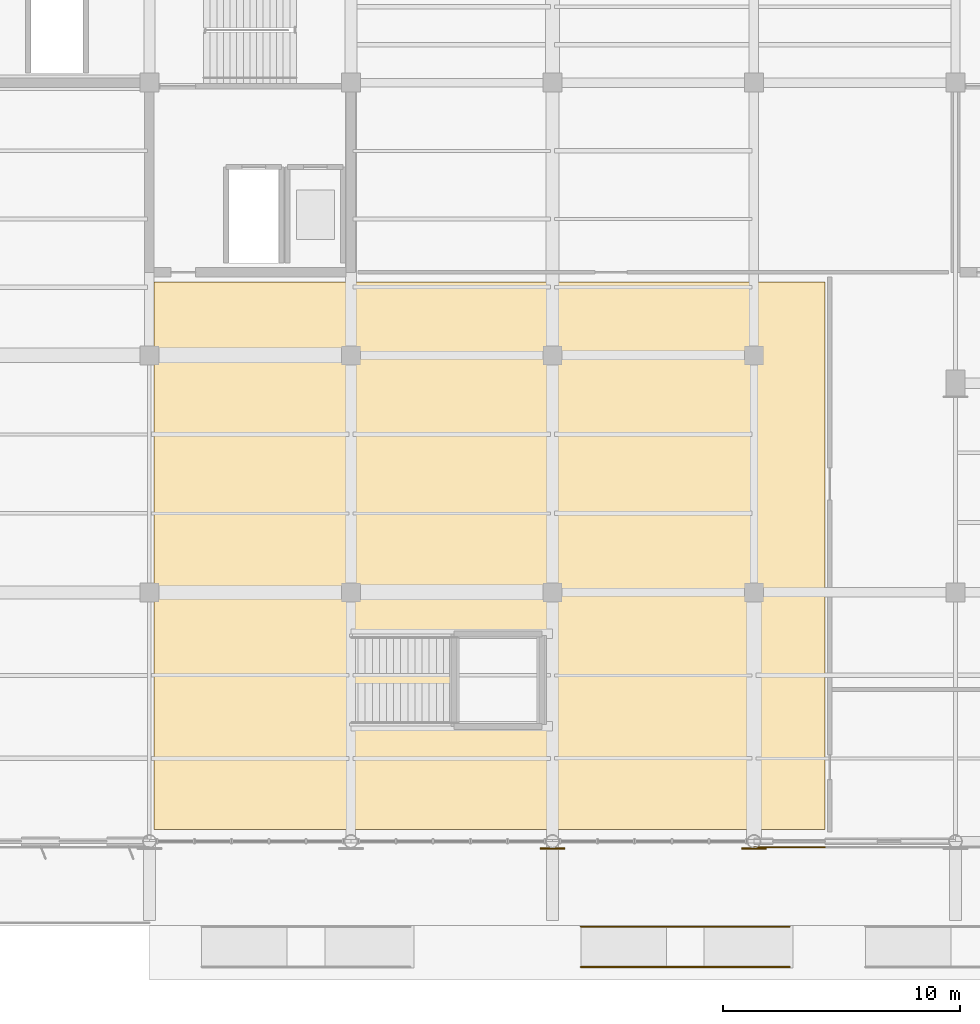
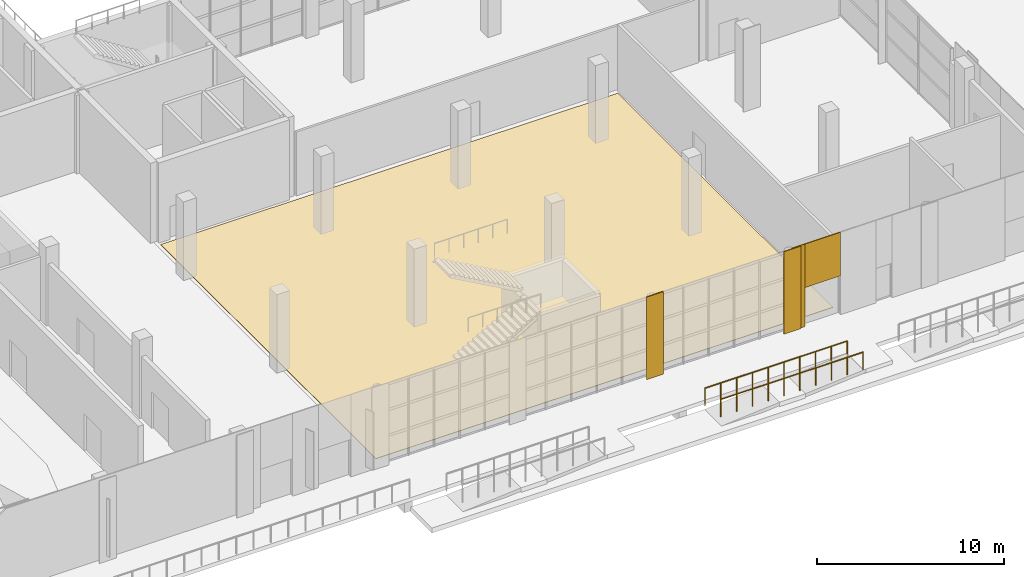
# One storey, part 77 of 90: 5 coverings, 2 railings.
"""IFC4 building model written with IfcOpenShell, lengths in metres."""

from ifc_helpers import new_model, si_unit, direction, frame, origin, origin_2d, place, context, subcontext, project, spatial, polyline, rectangle, circle, outline, extrude, material, layer, layer_set, type_object, element, save


model = new_model("IFC4")

# Units and contexts
model_context = context("Model", 3, precision=1e-05, world=origin(), true_north=direction((0.0, 1.0)))
body_context = subcontext(model_context, "Body", "Model", "MODEL_VIEW")
ifc_project = project(units=[si_unit("LENGTHUNIT", "METRE"), si_unit("AREAUNIT", "SQUARE_METRE"), si_unit("VOLUMEUNIT", "CUBIC_METRE"), si_unit("PLANEANGLEUNIT", "RADIAN"), si_unit("MASSUNIT", "GRAM", prefix="KILO")], contexts=[model_context])

# Site, building, storey
site_placement = place(None, origin())
site = spatial("IfcSite", under=ifc_project, at=site_placement, CompositionType="ELEMENT")
building_placement = place(site_placement, origin())
building = spatial("IfcBuilding", under=site, at=building_placement, Name="Solvikara Media Centre", CompositionType="ELEMENT")
storey_placement = place(building_placement, origin())
storey = spatial("IfcBuildingStorey", under=building, at=storey_placement, Name="L00", CompositionType="ELEMENT", Elevation=0.0)

# Coverings
ifc_material_1 = material(Name="Polished terrazzo floor finish")
ifc_layer_1 = layer(ifc_material_1, 0.030029296875)
ifc_layer_set_1 = layer_set([ifc_layer_1], Name="Polished terrazzo floor finish")
covering_type_1 = type_object("IfcCoveringType", Name="CV-02", PredefinedType="FLOORING", material=ifc_layer_set_1)
covering_1_placement = place(storey_placement, origin())
element("IfcCovering", 1, at=covering_1_placement, inside=storey, type_object=covering_type_1, Name="FLR-009", PredefinedType="FLOORING", context=body_context, shape_type="SweptSolid", body=[
    extrude(outline(polyline([(34.199951171875, 0.5), (62.5, 0.5), (62.5, 23.60009765625), (34.199951171875, 23.60009765625), (34.199951171875, 0.5)])), origin(), (0.0, 0.0, 1.0), 0.030029296875),
])
ifc_material_2 = material(Name="GFRC white mineral architectural rainscreen panel")
ifc_layer_2 = layer(ifc_material_2, 0.050048828125)
ifc_layer_set_2 = layer_set([ifc_layer_2], Name="GFRC white mineral architectural rainscreen panel")
covering_type_2 = type_object("IfcCoveringType", Name="CV-04", PredefinedType="CLADDING", material=ifc_layer_set_2)
for number, where, z_axis, x_axis, name in (
    (2, (51.0, -0.304931640625, 0.0), (0.0, 0.0, 1.0), (1.0, 0.0, 0.0), "PIL-L00-112"),
    (3, (59.5, -0.304931640625, 0.0), (0.0, 0.0, 1.0), (1.0, 0.0, 0.0), "PIL-L00-127"),
):
    element("IfcCovering", number, at=place(storey_placement, frame(where, z_axis=z_axis, x_axis=x_axis)), inside=storey, type_object=covering_type_2, Name=name, PredefinedType="CLADDING", context=body_context, shape_type="SweptSolid", body=[
        extrude(rectangle(XDim=1.0400390625, YDim=0.050048828125, at=origin_2d()), origin(), (0.0, 0.0, 1.0), 5.39990234375),
    ])
covering_2_placement = place(storey_placement, frame((59.89990234375, -0.2451171875, 0.0), z_axis=(0.0, 0.0, 1.0), x_axis=(1.0, 0.0, 0.0)))
element("IfcCovering", 4, at=covering_2_placement, inside=storey, type_object=covering_type_2, Name="L00-V6SE-CV-F01", PredefinedType="CLADDING", context=body_context, shape_type="SweptSolid", body=[
    extrude(rectangle(XDim=0.800048828125, YDim=0.050048828125, at=origin_2d()), origin(), (0.0, 0.0, 1.0), 5.39990234375),
])
covering_3_placement = place(storey_placement, frame((61.39990234375, -0.2451171875, 2.550048828125), z_axis=(0.0, 0.0, 1.0), x_axis=(1.0, 0.0, 0.0)))
element("IfcCovering", 5, at=covering_3_placement, inside=storey, type_object=covering_type_2, Name="L00-V6SE-CV-D02", PredefinedType="CLADDING", context=body_context, shape_type="SweptSolid", body=[
    extrude(rectangle(XDim=2.199951171875, YDim=0.050048828125, at=origin_2d()), origin(), (0.0, 0.0, 1.0), 2.85009765625),
])

# Railings
ifc_material_3 = material(Name="Steel S355JR", Category="steel")
railing_type = type_object("IfcRailingType", Name="GR-01", PredefinedType="GUARDRAIL", material=ifc_material_3)
for number, where, name in (
    (6, (52.199951171875, -5.300048828125, 0.0), "RHR-02-S"),
    (7, (52.199951171875, -3.60009765625, -0.300048828125), "RHR-02-N"),
):
    element("IfcRailing", number, at=place(storey_placement, frame(where)), inside=storey, type_object=railing_type, Name=name, PredefinedType="GUARDRAIL", context=body_context, shape_type="SweptSolid", body=[
        extrude(circle(Radius=0.02392578125, at=origin_2d()), frame((0.0, 0.0, 1.1259765625), z_axis=(1.0, 0.0, 0.0), x_axis=(0.0, 1.0, 0.0)), (0.0, 0.0, 1.0), 8.800048828125),
        extrude(circle(Radius=0.02099609375, at=origin_2d()), origin(), (0.0, 0.0, 1.0), 1.101806640625),
        extrude(circle(Radius=0.02099609375, at=origin_2d()), frame((0.977783203125, 0.0, 0.0)), (0.0, 0.0, 1.0), 1.101806640625),
        extrude(circle(Radius=0.02099609375, at=origin_2d()), frame((1.95556640625, 0.0, 0.0)), (0.0, 0.0, 1.0), 1.101806640625),
        extrude(circle(Radius=0.02099609375, at=origin_2d()), frame((2.933349609375, 0.0, 0.0)), (0.0, 0.0, 1.0), 1.101806640625),
        extrude(circle(Radius=0.02099609375, at=origin_2d()), frame((3.9111328125, 0.0, 0.0)), (0.0, 0.0, 1.0), 1.101806640625),
        extrude(circle(Radius=0.02099609375, at=origin_2d()), frame((4.888916015625, 0.0, 0.0)), (0.0, 0.0, 1.0), 1.101806640625),
        extrude(circle(Radius=0.02099609375, at=origin_2d()), frame((5.86669921875, 0.0, 0.0)), (0.0, 0.0, 1.0), 1.101806640625),
        extrude(circle(Radius=0.02099609375, at=origin_2d()), frame((6.844482421875, 0.0, 0.0)), (0.0, 0.0, 1.0), 1.101806640625),
        extrude(circle(Radius=0.02099609375, at=origin_2d()), frame((7.822265625, 0.0, 0.0)), (0.0, 0.0, 1.0), 1.101806640625),
        extrude(circle(Radius=0.02099609375, at=origin_2d()), frame((8.800048828125, 0.0, 0.0)), (0.0, 0.0, 1.0), 1.101806640625),
    ])

save(model, "model.ifc")
